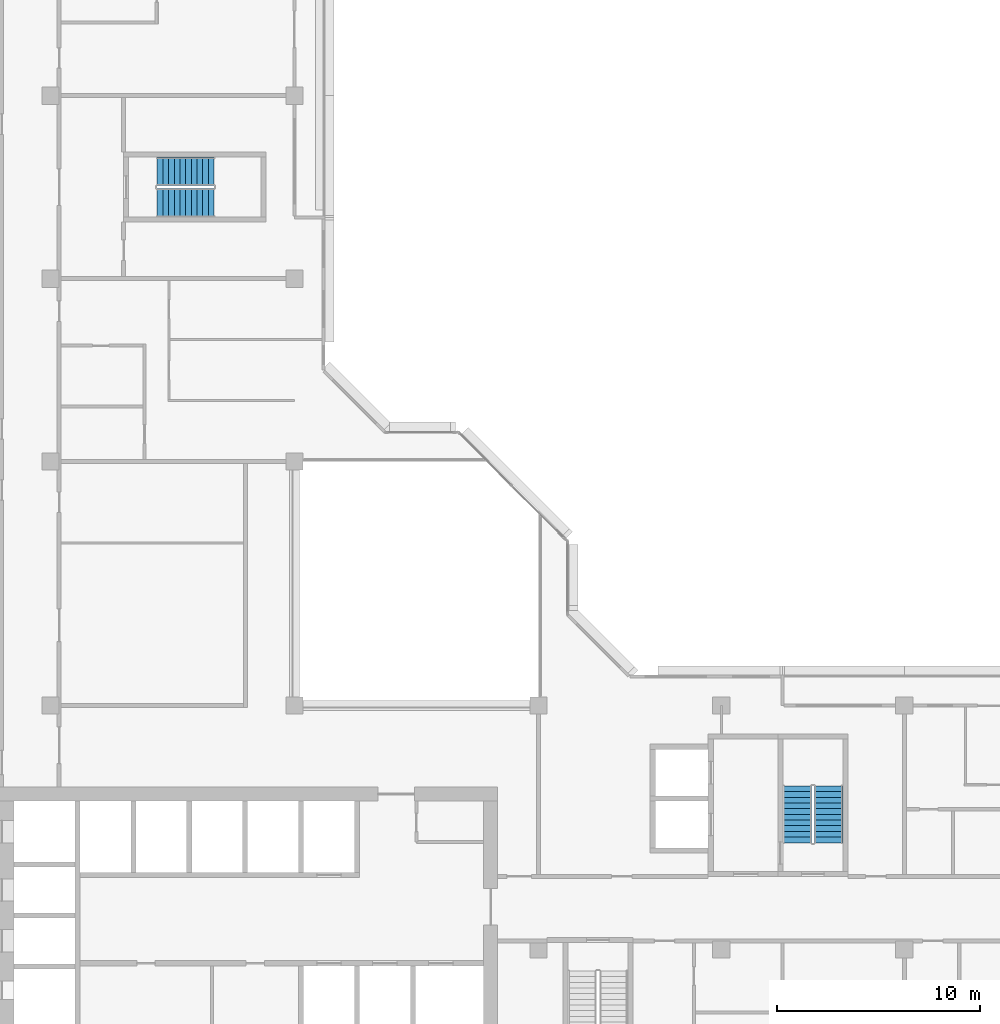
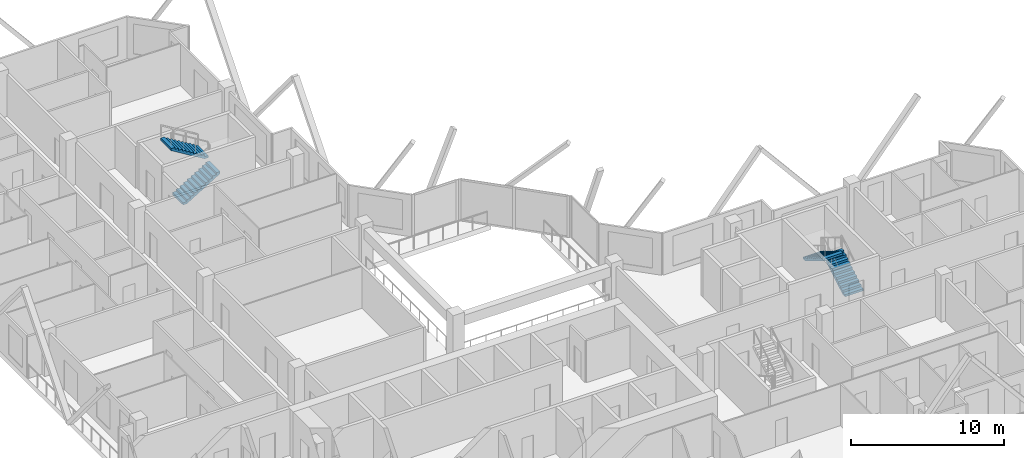
# One storey, part 14 of 16: 4 stair flights, 2 elements without a shape of their own.
"""IFC4 building model written with IfcOpenShell, lengths in metres."""

from ifc_helpers import new_model, si_unit, direction, frame, origin, place, context, subcontext, project, spatial, polyline, outline, extrude, material, type_object, element, aggregate, save


model = new_model("IFC4")

# Units and contexts
model_context = context("Model", 3, precision=1e-05, world=origin(), true_north=direction((0.0, 1.0)))
body_context = subcontext(model_context, "Body", "Model", "MODEL_VIEW")
ifc_project = project(units=[si_unit("LENGTHUNIT", "METRE"), si_unit("AREAUNIT", "SQUARE_METRE"), si_unit("VOLUMEUNIT", "CUBIC_METRE"), si_unit("PLANEANGLEUNIT", "RADIAN"), si_unit("MASSUNIT", "GRAM", prefix="KILO")], contexts=[model_context])

# Site, building, storey
site_placement = place(None, origin())
site = spatial("IfcSite", under=ifc_project, at=site_placement, CompositionType="ELEMENT")
building_placement = place(site_placement, origin())
building = spatial("IfcBuilding", under=site, at=building_placement, Name="Chenar Terraces", CompositionType="ELEMENT")
storey_placement = place(building_placement, frame((0.0, 0.0, 219.14990234375)))
storey = spatial("IfcBuildingStorey", under=building, at=storey_placement, Name="L51", CompositionType="ELEMENT", Elevation=219.14990234375)

# Stair, stair flights
ifc_material_1 = material(Name="Reinforced concrete C40/50", Category="concrete")
stair_type = type_object("IfcStairType", Name="Core stair 1400 half-turn", PredefinedType="HALF_TURN_STAIR", material=ifc_material_1)
placement = place(storey_placement, origin())
stair_1 = element("IfcStair", 1, at=placement, inside=storey, type_object=stair_type, Name="L51 Stair 3", PredefinedType="HALF_TURN_STAIR")
ifc_material_2 = material(Name="Reinforced concrete C40/50", Category="concrete")
stair_flight_type = type_object("IfcStairFlightType", Name="Core stair flight 1400", PredefinedType="STRAIGHT", material=ifc_material_2)
stair_flight_1_placement = place(storey_placement, frame((50.27490234375, 17.25, 0.0), z_axis=(0.0, 0.0, 1.0), x_axis=(0.0, 1.0, 0.0)))
stair_flight_1 = element("IfcStairFlight", 2, at=stair_flight_1_placement, type_object=stair_flight_type, Name="ST3 flight 1", NumberOfRisers=11, NumberOfTreads=10, PredefinedType="STRAIGHT", RiserHeight=0.170454545, TreadLength=0.28, context=body_context, shape_type="SweptSolid", body=[
    extrude(outline(polyline([(-0.0029296875, 0.0), (-0.0029296875, 0.17041015625), (0.0, 0.17041015625), (0.280029296875, 0.17041015625), (0.280029296875, 0.3408203125), (0.56005859375, 0.3408203125), (0.56005859375, 0.511474609375), (0.840087890625, 0.511474609375), (0.840087890625, 0.681884765625), (1.1201171875, 0.681884765625), (1.1201171875, 0.852294921875), (1.39990234375, 0.852294921875), (1.39990234375, 1.022705078125), (1.679931640625, 1.022705078125), (1.679931640625, 1.193115234375), (1.9599609375, 1.193115234375), (1.9599609375, 1.363525390625), (2.239990234375, 1.363525390625), (2.239990234375, 1.5341796875), (2.52001953125, 1.5341796875), (2.52001953125, 1.70458984375), (2.800048828125, 1.70458984375), (2.802978515625, 1.70458984375), (2.802978515625, 1.529052734375), (2.800048828125, 1.529052734375), (0.288330078125, 0.0), (-0.0029296875, 0.0)])), frame((0.0, 0.699951171875, 0.0), z_axis=(0.0, -1.0, 0.0), x_axis=(1.0, 0.0, 0.0)), (0.0, 0.0, 1.0), 1.39990234375),
])
stair_flight_2_placement = place(storey_placement, frame((48.72509765625, 20.050048828125, 1.875), z_axis=(0.0, 0.0, 1.0), x_axis=(0.0, -1.0, 0.0)))
stair_flight_2 = element("IfcStairFlight", 3, at=stair_flight_2_placement, type_object=stair_flight_type, Name="ST3 flight 2", NumberOfRisers=11, NumberOfTreads=10, PredefinedType="STRAIGHT", RiserHeight=0.170454545, TreadLength=0.28, context=body_context, shape_type="SweptSolid", body=[
    extrude(outline(polyline([(-0.0029296875, 0.0), (-0.0029296875, 0.17041015625), (0.0, 0.17041015625), (0.280029296875, 0.17041015625), (0.280029296875, 0.3408203125), (0.56005859375, 0.3408203125), (0.56005859375, 0.511474609375), (0.840087890625, 0.511474609375), (0.840087890625, 0.681884765625), (1.1201171875, 0.681884765625), (1.1201171875, 0.852294921875), (1.39990234375, 0.852294921875), (1.39990234375, 1.022705078125), (1.679931640625, 1.022705078125), (1.679931640625, 1.193115234375), (1.9599609375, 1.193115234375), (1.9599609375, 1.363525390625), (2.239990234375, 1.363525390625), (2.239990234375, 1.5341796875), (2.52001953125, 1.5341796875), (2.52001953125, 1.70458984375), (2.800048828125, 1.70458984375), (2.802978515625, 1.70458984375), (2.802978515625, 1.529052734375), (2.800048828125, 1.529052734375), (0.288330078125, 0.0), (-0.0029296875, 0.0)])), frame((0.0, 0.699951171875, 0.0), z_axis=(0.0, -1.0, 0.0), x_axis=(1.0, 0.0, 0.0)), (0.0, 0.0, 1.0), 1.39990234375),
])
aggregate(stair_1, [stair_flight_1, stair_flight_2])

stair_2 = element("IfcStair", 4, at=placement, inside=storey, type_object=stair_type, Name="L51 Stair 4", PredefinedType="HALF_TURN_STAIR")
stair_flight_3_placement = place(storey_placement, frame((17.25, 48.72509765625, 0.0), z_axis=(0.0, 0.0, 1.0), x_axis=(1.0, 0.0, 0.0)))
stair_flight_3 = element("IfcStairFlight", 5, at=stair_flight_3_placement, type_object=stair_flight_type, Name="ST4 flight 1", NumberOfRisers=11, NumberOfTreads=10, PredefinedType="STRAIGHT", RiserHeight=0.170454545, TreadLength=0.28, context=body_context, shape_type="SweptSolid", body=[
    extrude(outline(polyline([(-0.0029296875, 0.0), (-0.0029296875, 0.17041015625), (0.0, 0.17041015625), (0.280029296875, 0.17041015625), (0.280029296875, 0.3408203125), (0.56005859375, 0.3408203125), (0.56005859375, 0.511474609375), (0.840087890625, 0.511474609375), (0.840087890625, 0.681884765625), (1.1201171875, 0.681884765625), (1.1201171875, 0.852294921875), (1.39990234375, 0.852294921875), (1.39990234375, 1.022705078125), (1.679931640625, 1.022705078125), (1.679931640625, 1.193115234375), (1.9599609375, 1.193115234375), (1.9599609375, 1.363525390625), (2.239990234375, 1.363525390625), (2.239990234375, 1.5341796875), (2.52001953125, 1.5341796875), (2.52001953125, 1.70458984375), (2.800048828125, 1.70458984375), (2.802978515625, 1.70458984375), (2.802978515625, 1.529052734375), (2.800048828125, 1.529052734375), (0.288330078125, 0.0), (-0.0029296875, 0.0)])), frame((0.0, 0.699951171875, 0.0), z_axis=(0.0, -1.0, 0.0), x_axis=(1.0, 0.0, 0.0)), (0.0, 0.0, 1.0), 1.39990234375),
])
stair_flight_4_placement = place(storey_placement, frame((20.050048828125, 50.27490234375, 1.875), z_axis=(0.0, 0.0, 1.0), x_axis=(-1.0, 0.0, 0.0)))
stair_flight_4 = element("IfcStairFlight", 6, at=stair_flight_4_placement, type_object=stair_flight_type, Name="ST4 flight 2", NumberOfRisers=11, NumberOfTreads=10, PredefinedType="STRAIGHT", RiserHeight=0.170454545, TreadLength=0.28, context=body_context, shape_type="SweptSolid", body=[
    extrude(outline(polyline([(-0.0029296875, 0.0), (-0.0029296875, 0.17041015625), (0.0, 0.17041015625), (0.280029296875, 0.17041015625), (0.280029296875, 0.3408203125), (0.56005859375, 0.3408203125), (0.56005859375, 0.511474609375), (0.840087890625, 0.511474609375), (0.840087890625, 0.681884765625), (1.1201171875, 0.681884765625), (1.1201171875, 0.852294921875), (1.39990234375, 0.852294921875), (1.39990234375, 1.022705078125), (1.679931640625, 1.022705078125), (1.679931640625, 1.193115234375), (1.9599609375, 1.193115234375), (1.9599609375, 1.363525390625), (2.239990234375, 1.363525390625), (2.239990234375, 1.5341796875), (2.52001953125, 1.5341796875), (2.52001953125, 1.70458984375), (2.800048828125, 1.70458984375), (2.802978515625, 1.70458984375), (2.802978515625, 1.529052734375), (2.800048828125, 1.529052734375), (0.288330078125, 0.0), (-0.0029296875, 0.0)])), frame((0.0, 0.699951171875, 0.0), z_axis=(0.0, -1.0, 0.0), x_axis=(1.0, 0.0, 0.0)), (0.0, 0.0, 1.0), 1.39990234375),
])
aggregate(stair_2, [stair_flight_3, stair_flight_4])

save(model, "model.ifc")
